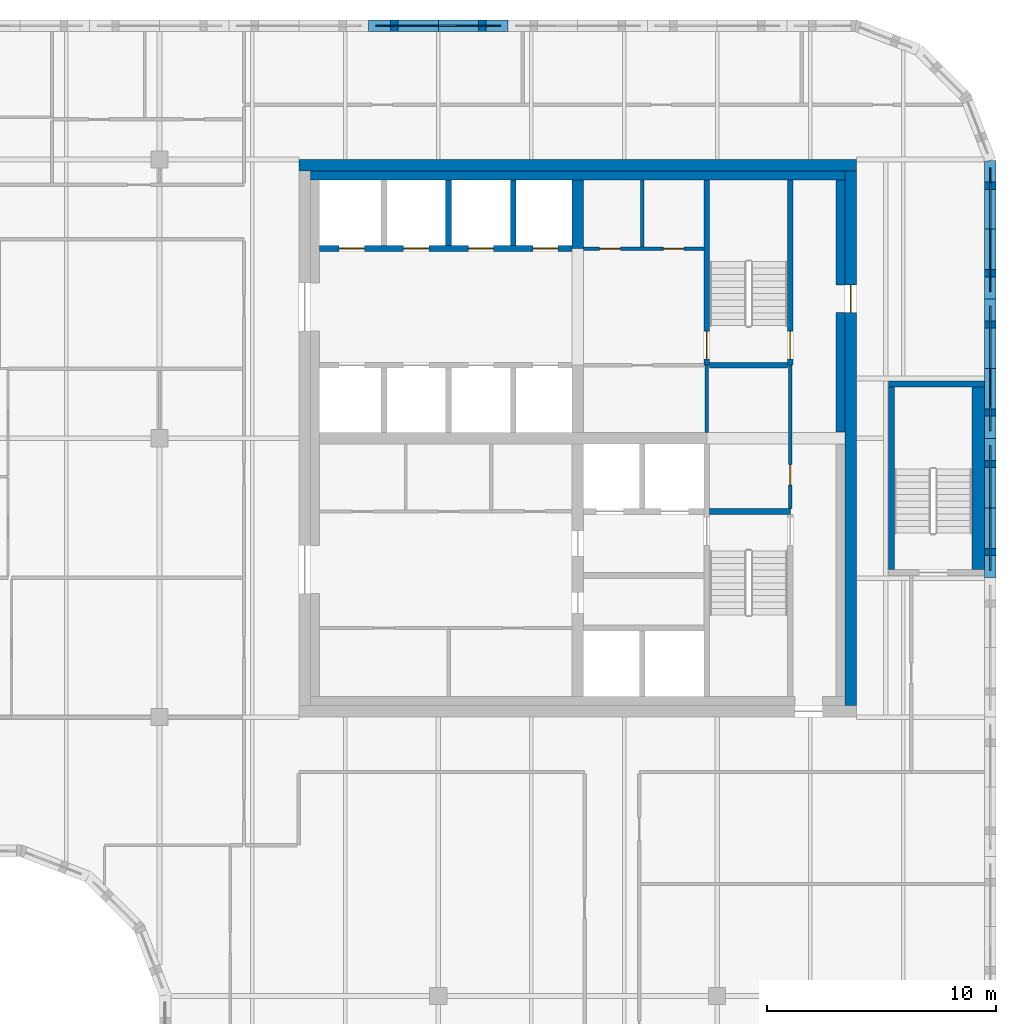
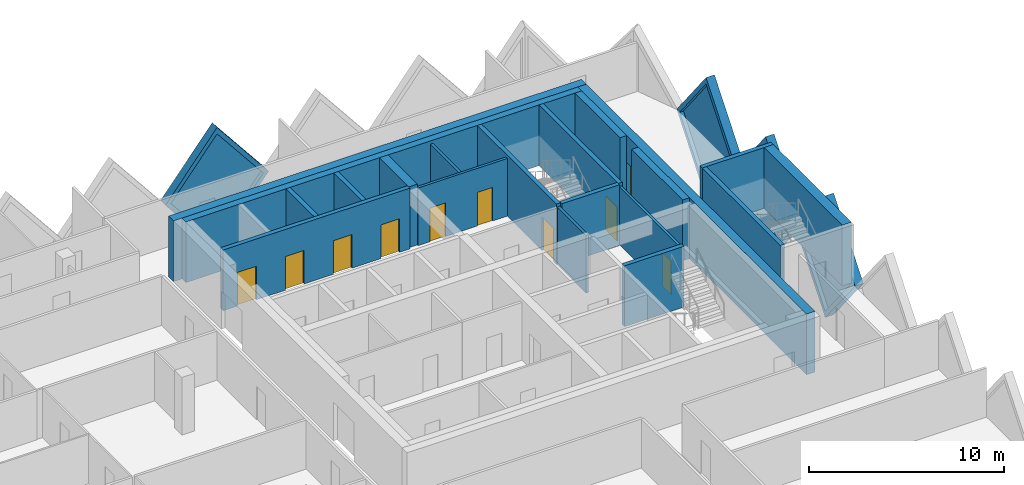
# One storey, part 9 of 12: 24 walls, 10 doors, 4 plates, 14 openings.
"""IFC4 building model written with IfcOpenShell, lengths in metres."""

from ifc_helpers import new_model, si_unit, direction, frame, frame_2d, origin, place, context, subcontext, project, spatial, polyline, rectangle, outline, extrude, faceted_brep, source, transform, mapped, material, layer, layer_set, type_object, element, fill, save


model = new_model("IFC4")

# Units and contexts
model_context = context("Model", 3, precision=1e-05, world=origin(), true_north=direction((0.0, 1.0)))
body_context = subcontext(model_context, "Body", "Model", "MODEL_VIEW")
ifc_project = project(units=[si_unit("LENGTHUNIT", "METRE"), si_unit("AREAUNIT", "SQUARE_METRE"), si_unit("VOLUMEUNIT", "CUBIC_METRE"), si_unit("PLANEANGLEUNIT", "RADIAN"), si_unit("MASSUNIT", "GRAM", prefix="KILO")], contexts=[model_context])

# Site, building, storey
site_placement = place(None, origin())
site = spatial("IfcSite", under=ifc_project, at=site_placement, CompositionType="ELEMENT")
building_placement = place(site_placement, origin())
building = spatial("IfcBuilding", under=site, at=building_placement, Name="Tessera Gate Towers", CompositionType="ELEMENT")
storey_placement = place(building_placement, frame((0.0, 0.0, 220.699951171875)))
storey = spatial("IfcBuildingStorey", under=building, at=storey_placement, Name="L55", CompositionType="ELEMENT", Elevation=220.699951171875)

# Wall, openings, doors
ifc_material_1 = material(Name="Concrete C40/50", Category="concrete")
ifc_layer_1 = layer(ifc_material_1, 0.25)
ifc_layer_set_1 = layer_set([ifc_layer_1], Name="CORE ENCLOSURE WALL 250")
wall_type_1 = type_object("IfcWallType", Name="CORE ENCLOSURE WALL 250", PredefinedType="SOLIDWALL", material=ifc_layer_set_1)
wall_1_placement = place(storey_placement, frame((42.449951171875, 44.89990234375, 0.0), z_axis=(0.0, 0.0, 1.0), x_axis=(-1.0, 0.0, 0.0)))
wall_1 = element("IfcWall", 1, at=wall_1_placement, inside=storey, type_object=wall_type_1, Name="L55 shaft and stair enclosure wall", PredefinedType="SOLIDWALL", context=body_context, shape_type="SweptSolid", body=[
    extrude(rectangle(XDim=11.050048828125, YDim=0.25, at=frame_2d((5.52490234375, 0.0))), origin(), (0.0, 0.0, 1.0), 3.800048828125),
])
shared_shape_1 = source(origin(), body_context, "Body", "SweptSolid", [
    extrude(rectangle(XDim=1.10009765625, YDim=2.10009765625, at=frame_2d((0.550048828125, 1.050048828125))), frame((0.0, 0.135009765625, 0.0), z_axis=(0.0, -1.0, 0.0), x_axis=(1.0, 0.0, 0.0)), (0.0, 0.0, 1.0), 0.27001953125),
])
opening_1_placement = place(wall_1_placement, frame((9.08740234375, 0.0, 0.0)))
opening_1 = element("IfcOpeningElement", 2, at=opening_1_placement, cuts=wall_1, Name="Opening LD-HR5", PredefinedType="OPENING", context=body_context, shape_type="MappedRepresentation", body=[
    mapped(shared_shape_1, transform((0.0, 0.0, 0.0), scale=1.0)),
])
opening_2_placement = place(wall_1_placement, frame((6.262451171875, 0.0, 0.0)))
opening_2 = element("IfcOpeningElement", 3, at=opening_2_placement, cuts=wall_1, Name="Opening LD-HR6", PredefinedType="OPENING", context=body_context, shape_type="MappedRepresentation", body=[
    mapped(shared_shape_1, transform((0.0, 0.0, 0.0), scale=1.0)),
])
opening_3_placement = place(wall_1_placement, frame((3.4375, 0.0, 0.0)))
opening_3 = element("IfcOpeningElement", 4, at=opening_3_placement, cuts=wall_1, Name="Opening LD-HR7", PredefinedType="OPENING", context=body_context, shape_type="MappedRepresentation", body=[
    mapped(shared_shape_1, transform((0.0, 0.0, 0.0), scale=1.0)),
])
opening_4_placement = place(wall_1_placement, frame((0.612548828125, 0.0, 0.0)))
opening_4 = element("IfcOpeningElement", 5, at=opening_4_placement, cuts=wall_1, Name="Opening LD-HR8", PredefinedType="OPENING", context=body_context, shape_type="MappedRepresentation", body=[
    mapped(shared_shape_1, transform((0.0, 0.0, 0.0), scale=1.0)),
])
ifc_material_2 = material(Name="Stainless steel", Category="steel")
door_type_1 = type_object("IfcDoorType", Name="CORE DOOR LD 1100x2100", OperationType="DOUBLE_DOOR_SLIDING", PredefinedType="DOOR", material=ifc_material_2)
shared_shape_2 = source(origin(), body_context, "Body", "SweptSolid", [
    extrude(rectangle(XDim=1.10009765625, YDim=2.10009765625, at=frame_2d((0.550048828125, 1.050048828125))), frame((0.0, 0.02490234375, 0.0), z_axis=(0.0, -1.0, 0.0), x_axis=(1.0, 0.0, 0.0)), (0.0, 0.0, 1.0), 0.050048828125),
])
door_1_placement = place(opening_1_placement, origin())
door_1 = element("IfcDoor", 6, at=door_1_placement, inside=storey, type_object=door_type_1, Name="Landing door HR5 L55", OperationType="DOUBLE_DOOR_SLIDING", OverallHeight=2.10009765625, OverallWidth=1.10009765625, PredefinedType="DOOR", context=body_context, shape_type="MappedRepresentation", body=[
    mapped(shared_shape_2, transform((0.0, 0.0, 0.0), scale=1.0)),
])
fill(opening_1, door_1)
door_2_placement = place(opening_2_placement, origin())
door_2 = element("IfcDoor", 7, at=door_2_placement, inside=storey, type_object=door_type_1, Name="Landing door HR6 L55", OperationType="DOUBLE_DOOR_SLIDING", OverallHeight=2.10009765625, OverallWidth=1.10009765625, PredefinedType="DOOR", context=body_context, shape_type="MappedRepresentation", body=[
    mapped(shared_shape_2, transform((0.0, 0.0, 0.0), scale=1.0)),
])
fill(opening_2, door_2)
door_3_placement = place(opening_3_placement, origin())
door_3 = element("IfcDoor", 8, at=door_3_placement, inside=storey, type_object=door_type_1, Name="Landing door HR7 L55", OperationType="DOUBLE_DOOR_SLIDING", OverallHeight=2.10009765625, OverallWidth=1.10009765625, PredefinedType="DOOR", context=body_context, shape_type="MappedRepresentation", body=[
    mapped(shared_shape_2, transform((0.0, 0.0, 0.0), scale=1.0)),
])
fill(opening_3, door_3)
door_4_placement = place(opening_4_placement, origin())
door_4 = element("IfcDoor", 9, at=door_4_placement, inside=storey, type_object=door_type_1, Name="Landing door HR8 L55", OperationType="DOUBLE_DOOR_SLIDING", OverallHeight=2.10009765625, OverallWidth=1.10009765625, PredefinedType="DOOR", context=body_context, shape_type="MappedRepresentation", body=[
    mapped(shared_shape_2, transform((0.0, 0.0, 0.0), scale=1.0)),
])
fill(opening_4, door_4)

# Wall
wall_2_placement = place(storey_placement, frame((48.47509765625, 33.39990234375, 0.0), z_axis=(0.0, 0.0, 1.0), x_axis=(1.0, 0.0, 0.0)))
element("IfcWall", 10, at=wall_2_placement, inside=storey, type_object=wall_type_1, Name="L55 shaft and stair enclosure wall", PredefinedType="SOLIDWALL", context=body_context, shape_type="SweptSolid", body=[
    extrude(rectangle(XDim=3.52490234375, YDim=0.25, at=frame_2d((1.762451171875, 0.0))), origin(), (0.0, 0.0, 1.0), 3.800048828125),
])

# Wall, opening, door
wall_3_placement = place(storey_placement, frame((48.35009765625, 47.89990234375, 0.0), z_axis=(0.0, 0.0, 1.0), x_axis=(0.0, -1.0, 0.0)))
wall_3 = element("IfcWall", 11, at=wall_3_placement, inside=storey, type_object=wall_type_1, Name="L55 shaft and stair enclosure wall", PredefinedType="SOLIDWALL", context=body_context, shape_type="SweptSolid", body=[
    extrude(rectangle(XDim=8.099853515625, YDim=0.25, at=frame_2d((4.0498046875, 0.0))), origin(), (0.0, 0.0, 1.0), 3.800048828125),
])
shared_shape_3 = source(origin(), body_context, "Body", "SweptSolid", [
    extrude(rectangle(XDim=1.199951171875, YDim=2.10009765625, at=frame_2d((0.60009765625, 1.050048828125))), frame((0.0, 0.135009765625, 0.0), z_axis=(0.0, -1.0, 0.0), x_axis=(1.0, 0.0, 0.0)), (0.0, 0.0, 1.0), 0.27001953125),
])
opening_5_placement = place(wall_3_placement, frame((6.625, 0.0, 0.0)))
opening_5 = element("IfcOpeningElement", 12, at=opening_5_placement, cuts=wall_3, Name="Opening SD-ST2-1", PredefinedType="OPENING", context=body_context, shape_type="MappedRepresentation", body=[
    mapped(shared_shape_3, transform((0.0, 0.0, 0.0), scale=1.0)),
])
ifc_material_3 = material(Name="Hollow steel fire door", Category="steel")
door_type_2 = type_object("IfcDoorType", Name="CORE DOOR SD 1200x2100", OperationType="NOTDEFINED", PredefinedType="DOOR", material=ifc_material_3)
shared_shape_4 = source(origin(), body_context, "Body", "SweptSolid", [
    extrude(rectangle(XDim=1.199951171875, YDim=2.10009765625, at=frame_2d((0.60009765625, 1.050048828125))), frame((0.0, 0.02490234375, 0.0), z_axis=(0.0, -1.0, 0.0), x_axis=(1.0, 0.0, 0.0)), (0.0, 0.0, 1.0), 0.050048828125),
])
door_5_placement = place(opening_5_placement, origin())
door_5 = element("IfcDoor", 13, at=door_5_placement, inside=storey, type_object=door_type_2, Name="Stair door", OperationType="SINGLE_SWING_RIGHT", OverallHeight=2.10009765625, OverallWidth=1.199951171875, PredefinedType="DOOR", context=body_context, shape_type="MappedRepresentation", body=[
    mapped(shared_shape_4, transform((0.0, 0.0, 0.0), scale=1.0)),
])
fill(opening_5, door_5)

wall_4_placement = place(storey_placement, frame((52.0, 39.800048828125, 0.0), z_axis=(0.0, 0.0, 1.0), x_axis=(0.0, 1.0, 0.0)))
wall_4 = element("IfcWall", 14, at=wall_4_placement, inside=storey, type_object=wall_type_1, Name="L55 shaft and stair enclosure wall", PredefinedType="SOLIDWALL", context=body_context, shape_type="SweptSolid", body=[
    extrude(rectangle(XDim=8.099853515625, YDim=0.25, at=frame_2d((4.0498046875, 0.0))), origin(), (0.0, 0.0, 1.0), 3.800048828125),
])
opening_6_placement = place(wall_4_placement, frame((0.27490234375, 0.0, 0.0)))
opening_6 = element("IfcOpeningElement", 15, at=opening_6_placement, cuts=wall_4, Name="Opening SD-ST2-2", PredefinedType="OPENING", context=body_context, shape_type="MappedRepresentation", body=[
    mapped(shared_shape_3, transform((0.0, 0.0, 0.0), scale=1.0)),
])
door_6_placement = place(opening_6_placement, origin())
door_6 = element("IfcDoor", 16, at=door_6_placement, inside=storey, type_object=door_type_2, Name="Stair door", OperationType="SINGLE_SWING_LEFT", OverallHeight=2.10009765625, OverallWidth=1.199951171875, PredefinedType="DOOR", context=body_context, shape_type="MappedRepresentation", body=[
    mapped(shared_shape_4, transform((0.0, 0.0, 0.0), scale=1.0)),
])
fill(opening_6, door_6)

# Walls
wall_5_placement = place(storey_placement, frame((48.47509765625, 39.800048828125, 0.0), z_axis=(0.0, 0.0, 1.0), x_axis=(1.0, 0.0, 0.0)))
element("IfcWall", 17, at=wall_5_placement, inside=storey, type_object=wall_type_1, Name="L55 shaft and stair enclosure wall", PredefinedType="SOLIDWALL", context=body_context, shape_type="SweptSolid", body=[
    extrude(rectangle(XDim=3.39990234375, YDim=0.25, at=frame_2d((1.699951171875, 0.0))), origin(), (0.0, 0.0, 1.0), 3.800048828125),
])
for number, where, z_axis, x_axis, name in (
    (18, (37.050048828125, 45.02490234375, 0.0), (0.0, 0.0, 1.0), (0.0, 1.0, 0.0), "L55 shaft and stair enclosure wall"),
    (19, (39.875, 45.02490234375, 0.0), (0.0, 0.0, 1.0), (0.0, 1.0, 0.0), "L55 shaft and stair enclosure wall"),
):
    element("IfcWall", number, at=place(storey_placement, frame(where, z_axis=z_axis, x_axis=x_axis)), inside=storey, type_object=wall_type_1, Name=name, PredefinedType="SOLIDWALL", context=body_context, shape_type="SweptSolid", body=[
        extrude(rectangle(XDim=2.875, YDim=0.25, at=frame_2d((1.4375, 0.0))), origin(), (0.0, 0.0, 1.0), 3.800048828125),
    ])
wall_6_placement = place(storey_placement, frame((56.425048828125, 30.85009765625, 0.0), z_axis=(0.0, 0.0, 1.0), x_axis=(0.0, 1.0, 0.0)))
element("IfcWall", 20, at=wall_6_placement, inside=storey, type_object=wall_type_1, Name="L55 ST5 enclosure wall", PredefinedType="SOLIDWALL", context=body_context, shape_type="SweptSolid", body=[
    extrude(rectangle(XDim=8.0, YDim=0.25, at=frame_2d((4.0, 0.0))), origin(), (0.0, 0.0, 1.0), 3.800048828125),
])
wall_7_placement = place(storey_placement, frame((56.300048828125, 38.97509765625, 0.0), z_axis=(0.0, 0.0, 1.0), x_axis=(1.0, 0.0, 0.0)))
element("IfcWall", 21, at=wall_7_placement, inside=storey, type_object=wall_type_1, Name="L55 ST5 enclosure wall", PredefinedType="SOLIDWALL", context=body_context, shape_type="SweptSolid", body=[
    extrude(rectangle(XDim=4.199951171875, YDim=0.25, at=frame_2d((2.10009765625, 0.0))), origin(), (0.0, 0.0, 1.0), 3.800048828125),
])
ifc_material_4 = material(Name="Concrete C40/50", Category="concrete")
ifc_layer_2 = layer(ifc_material_4, 0.550048828125)
ifc_layer_set_2 = layer_set([ifc_layer_2], Name="CORE ENCLOSURE WALL 550")
wall_type_2 = type_object("IfcWallType", Name="CORE ENCLOSURE WALL 550", PredefinedType="SOLIDWALL", material=ifc_layer_set_2)
wall_8_placement = place(storey_placement, frame((60.22509765625, 38.85009765625, 0.0), z_axis=(0.0, 0.0, 1.0), x_axis=(0.0, -1.0, 0.0)))
element("IfcWall", 22, at=wall_8_placement, inside=storey, type_object=wall_type_2, Name="L55 ST5 enclosure wall", PredefinedType="SOLIDWALL", context=body_context, shape_type="SweptSolid", body=[
    extrude(rectangle(XDim=8.0, YDim=0.550048828125, at=frame_2d((4.0, 0.0))), origin(), (0.0, 0.0, 1.0), 3.800048828125),
])
ifc_material_5 = material(Name="Concrete C50/60", Category="concrete")
ifc_layer_3 = layer(ifc_material_5, 0.5)
ifc_layer_set_3 = layer_set([ifc_layer_3], Name="CORE SHEAR WALL 500 C50/60")
wall_type_3 = type_object("IfcWallType", Name="CORE SHEAR WALL 500 C50/60", PredefinedType="SHEAR", material=ifc_layer_set_3)
wall_9_placement = place(storey_placement, frame((30.5, 48.550048828125, 0.0), z_axis=(0.0, 0.0, 1.0), x_axis=(1.0, 0.0, 0.0)))
element("IfcWall", 23, at=wall_9_placement, inside=storey, type_object=wall_type_3, Name="Core wall N L55", PredefinedType="SHEAR", context=body_context, shape_type="SweptSolid", body=[
    extrude(rectangle(XDim=24.39990234375, YDim=0.5, at=frame_2d((12.199951171875, 0.0))), origin(), (0.0, 0.0, 1.0), 3.800048828125),
])

# Wall, opening, door
wall_10_placement = place(storey_placement, frame((54.64990234375, 48.300048828125, 0.0), z_axis=(0.0, 0.0, 1.0), x_axis=(0.0, -1.0, 0.0)))
wall_10 = element("IfcWall", 24, at=wall_10_placement, inside=storey, type_object=wall_type_3, Name="Core wall E L55", PredefinedType="SHEAR", context=body_context, shape_type="SweptSolid", body=[
    extrude(rectangle(XDim=23.400146484375, YDim=0.5, at=frame_2d((11.7001953125, 0.0))), origin(), (0.0, 0.0, 1.0), 3.800048828125),
])
shared_shape_5 = source(origin(), body_context, "Body", "SweptSolid", [
    extrude(rectangle(XDim=1.199951171875, YDim=2.10009765625, at=frame_2d((0.60009765625, 1.050048828125))), frame((0.0, 0.260009765625, 0.0), z_axis=(0.0, -1.0, 0.0), x_axis=(1.0, 0.0, 0.0)), (0.0, 0.0, 1.0), 0.52001953125),
])
opening_7_placement = place(wall_10_placement, frame((5.0, 0.0, 0.0)))
opening_7 = element("IfcOpeningElement", 25, at=opening_7_placement, cuts=wall_10, Name="Opening ED-T1-33-04", PredefinedType="OPENING", context=body_context, shape_type="MappedRepresentation", body=[
    mapped(shared_shape_5, transform((0.0, 0.0, 0.0), scale=1.0)),
])
ifc_material_6 = material(Name="Hollow steel fire door", Category="steel")
door_type_3 = type_object("IfcDoorType", Name="CORE DOOR ED 1200x2100", OperationType="NOTDEFINED", PredefinedType="DOOR", material=ifc_material_6)
door_7_placement = place(opening_7_placement, origin())
door_7 = element("IfcDoor", 26, at=door_7_placement, inside=storey, type_object=door_type_3, Name="Core exit door", OperationType="SINGLE_SWING_LEFT", OverallHeight=2.10009765625, OverallWidth=1.199951171875, PredefinedType="DOOR", context=body_context, shape_type="MappedRepresentation", body=[
    mapped(shared_shape_4, transform((0.0, 0.0, 0.0), scale=1.0)),
])
fill(opening_7, door_7)

# Walls
ifc_material_7 = material(Name="Concrete C50/60", Category="concrete")
ifc_layer_4 = layer(ifc_material_7, 0.5)
ifc_layer_set_4 = layer_set([ifc_layer_4], Name="CORE SPINE WALL 500 C50/60")
wall_type_4 = type_object("IfcWallType", Name="CORE SPINE WALL 500 C50/60", PredefinedType="SHEAR", material=ifc_layer_set_4)
wall_11_placement = place(storey_placement, frame((42.699951171875, 44.89990234375, 0.0), z_axis=(0.0, 0.0, 1.0), x_axis=(0.0, 1.0, 0.0)))
element("IfcWall", 27, at=wall_11_placement, inside=storey, type_object=wall_type_4, Name="Core wall spine L55", PredefinedType="SHEAR", context=body_context, shape_type="SweptSolid", body=[
    extrude(rectangle(XDim=3.0, YDim=0.5, at=frame_2d((1.5, 0.0))), origin(), (0.0, 0.0, 1.0), 3.800048828125),
])
ifc_material_8 = material(Name="Concrete C50/60", Category="concrete")
ifc_layer_5 = layer(ifc_material_8, 0.39990234375)
ifc_layer_set_5 = layer_set([ifc_layer_5], Name="CORE WALL THICKENING 400")
wall_type_5 = type_object("IfcWallType", Name="CORE WALL THICKENING 400", PredefinedType="SOLIDWALL", material=ifc_layer_set_5)
wall_12_placement = place(storey_placement, frame((31.0, 48.10009765625, 0.0), z_axis=(0.0, 0.0, 1.0), x_axis=(1.0, 0.0, 0.0)))
element("IfcWall", 28, at=wall_12_placement, inside=storey, type_object=wall_type_5, Name="Core wall thickening N L55", PredefinedType="SOLIDWALL", context=body_context, shape_type="SweptSolid", body=[
    extrude(rectangle(XDim=23.39990234375, YDim=0.39990234375, at=frame_2d((11.699951171875, 0.0))), origin(), (0.0, 0.0, 1.0), 3.800048828125),
])
wall_13_placement = place(storey_placement, frame((54.199951171875, 36.8798828125, 0.0), z_axis=(0.0, 0.0, 1.0), x_axis=(0.0, 1.0, 0.0)))
element("IfcWall", 29, at=wall_13_placement, inside=storey, type_object=wall_type_5, Name="Core wall thickening E L55", PredefinedType="SOLIDWALL", context=body_context, shape_type="SweptSolid", body=[
    extrude(rectangle(XDim=5.22021484375, YDim=0.39990234375, at=frame_2d((2.610107421875, 0.0))), origin(), (0.0, 0.0, 1.0), 3.800048828125),
])
wall_14_placement = place(storey_placement, frame((54.199951171875, 43.300048828125, 0.0), z_axis=(0.0, 0.0, 1.0), x_axis=(0.0, 1.0, 0.0)))
element("IfcWall", 30, at=wall_14_placement, inside=storey, type_object=wall_type_5, Name="Core wall thickening E L55", PredefinedType="SOLIDWALL", context=body_context, shape_type="SweptSolid", body=[
    extrude(rectangle(XDim=4.599853515625, YDim=0.39990234375, at=frame_2d((2.2998046875, 0.0))), origin(), (0.0, 0.0, 1.0), 3.800048828125),
])

# Wall, opening, door
ifc_material_9 = material(Name="Gypsum board on steel studs", Category="steel")
ifc_layer_6 = layer(ifc_material_9, 0.14990234375)
ifc_layer_set_6 = layer_set([ifc_layer_6], Name="SERVICE ROOM WALL 150")
wall_type_6 = type_object("IfcWallType", Name="SERVICE ROOM WALL 150", PredefinedType="PARTITIONING", material=ifc_layer_set_6)
wall_15_placement = place(storey_placement, frame((52.0, 33.52490234375, 0.0), z_axis=(0.0, 0.0, 1.0), x_axis=(0.0, 1.0, 0.0)))
wall_15 = element("IfcWall", 31, at=wall_15_placement, inside=storey, type_object=wall_type_6, Name="L55 service room wall", PredefinedType="PARTITIONING", context=body_context, shape_type="SweptSolid", body=[
    extrude(rectangle(XDim=6.275146484375, YDim=0.14990234375, at=frame_2d((3.1376953125, 0.0))), origin(), (0.0, 0.0, 1.0), 3.60009765625),
])
shared_shape_6 = source(origin(), body_context, "Body", "SweptSolid", [
    extrude(rectangle(XDim=0.89990234375, YDim=2.10009765625, at=frame_2d((0.449951171875, 1.050048828125))), frame((0.0, 0.0849609375, 0.0), z_axis=(0.0, -1.0, 0.0), x_axis=(1.0, 0.0, 0.0)), (0.0, 0.0, 1.0), 0.169921875),
])
opening_8_placement = place(wall_15_placement, frame((1.02490234375, 0.0, 0.0)))
opening_8 = element("IfcOpeningElement", 32, at=opening_8_placement, cuts=wall_15, Name="Opening RD-T1-33-09", PredefinedType="OPENING", context=body_context, shape_type="MappedRepresentation", body=[
    mapped(shared_shape_6, transform((0.0, 0.0, 0.0), scale=1.0)),
])
ifc_material_10 = material(Name="Hollow steel fire door", Category="steel")
door_type_4 = type_object("IfcDoorType", Name="CORE DOOR RD 900x2100", OperationType="NOTDEFINED", PredefinedType="DOOR", material=ifc_material_10)
shared_shape_7 = source(origin(), body_context, "Body", "SweptSolid", [
    extrude(rectangle(XDim=0.89990234375, YDim=2.10009765625, at=frame_2d((0.449951171875, 1.050048828125))), frame((0.0, 0.02490234375, 0.0), z_axis=(0.0, -1.0, 0.0), x_axis=(1.0, 0.0, 0.0)), (0.0, 0.0, 1.0), 0.050048828125),
])
door_8_placement = place(opening_8_placement, origin())
door_8 = element("IfcDoor", 33, at=door_8_placement, inside=storey, type_object=door_type_4, Name="Core room door", OperationType="SINGLE_SWING_LEFT", OverallHeight=2.10009765625, OverallWidth=0.89990234375, PredefinedType="DOOR", context=body_context, shape_type="MappedRepresentation", body=[
    mapped(shared_shape_7, transform((0.0, 0.0, 0.0), scale=1.0)),
])
fill(opening_8, door_8)

# Wall, openings, doors
wall_16_placement = place(storey_placement, frame((42.949951171875, 44.89990234375, 0.0), z_axis=(0.0, 0.0, 1.0), x_axis=(1.0, 0.0, 0.0)))
wall_16 = element("IfcWall", 34, at=wall_16_placement, inside=storey, type_object=wall_type_6, Name="L55 service room wall", PredefinedType="PARTITIONING", context=body_context, shape_type="SweptSolid", body=[
    extrude(rectangle(XDim=5.275146484375, YDim=0.14990234375, at=frame_2d((2.6376953125, 0.0))), origin(), (0.0, 0.0, 1.0), 3.60009765625),
])
opening_9_placement = place(wall_16_placement, frame((0.71240234375, 0.0, 0.0)))
opening_9 = element("IfcOpeningElement", 35, at=opening_9_placement, cuts=wall_16, Name="Opening RD-T1-33-11", PredefinedType="OPENING", context=body_context, shape_type="MappedRepresentation", body=[
    mapped(shared_shape_6, transform((0.0, 0.0, 0.0), scale=1.0)),
])
opening_10_placement = place(wall_16_placement, frame((3.5, 0.0, 0.0)))
opening_10 = element("IfcOpeningElement", 36, at=opening_10_placement, cuts=wall_16, Name="Opening RD-T1-33-12", PredefinedType="OPENING", context=body_context, shape_type="MappedRepresentation", body=[
    mapped(shared_shape_6, transform((0.0, 0.0, 0.0), scale=1.0)),
])
door_9_placement = place(opening_9_placement, origin())
door_9 = element("IfcDoor", 37, at=door_9_placement, inside=storey, type_object=door_type_4, Name="Core room door", OperationType="SINGLE_SWING_LEFT", OverallHeight=2.10009765625, OverallWidth=0.89990234375, PredefinedType="DOOR", context=body_context, shape_type="MappedRepresentation", body=[
    mapped(shared_shape_7, transform((0.0, 0.0, 0.0), scale=1.0)),
])
fill(opening_9, door_9)
door_10_placement = place(opening_10_placement, origin())
door_10 = element("IfcDoor", 38, at=door_10_placement, inside=storey, type_object=door_type_4, Name="Core room door", OperationType="SINGLE_SWING_RIGHT", OverallHeight=2.10009765625, OverallWidth=0.89990234375, PredefinedType="DOOR", context=body_context, shape_type="MappedRepresentation", body=[
    mapped(shared_shape_7, transform((0.0, 0.0, 0.0), scale=1.0)),
])
fill(opening_10, door_10)

# Walls
wall_17_placement = place(storey_placement, frame((48.35009765625, 36.85009765625, 0.0), z_axis=(0.0, 0.0, 1.0), x_axis=(0.0, 1.0, 0.0)))
element("IfcWall", 39, at=wall_17_placement, inside=storey, type_object=wall_type_6, Name="L55 service room wall", PredefinedType="PARTITIONING", context=body_context, shape_type="SweptSolid", body=[
    extrude(rectangle(XDim=2.949951171875, YDim=0.14990234375, at=frame_2d((1.47509765625, 0.0))), origin(), (0.0, 0.0, 1.0), 3.60009765625),
])
wall_18_placement = place(storey_placement, frame((45.52490234375, 44.97509765625, 0.0), z_axis=(0.0, 0.0, 1.0), x_axis=(0.0, 1.0, 0.0)))
element("IfcWall", 40, at=wall_18_placement, inside=storey, type_object=wall_type_6, Name="L55 service room wall", PredefinedType="PARTITIONING", context=body_context, shape_type="SweptSolid", body=[
    extrude(rectangle(XDim=2.9248046875, YDim=0.14990234375, at=frame_2d((1.46240234375, 0.0))), origin(), (0.0, 0.0, 1.0), 3.60009765625),
])

# Wall, opening, plate
ifc_material_11 = material(Name="Precast concrete C60/75 white", Category="concrete")
ifc_layer_7 = layer(ifc_material_11, 0.5)
ifc_layer_set_7 = layer_set([ifc_layer_7], Name="TS1 tessera")
wall_type_7 = type_object("IfcWallType", Name="TS1 tessera", PredefinedType="SOLIDWALL", material=ifc_layer_set_7)
shared_shape_8 = source(origin(), body_context, "Body", "Brep", [
    faceted_brep([(3.050048828125, -0.25, 0.0), (6.099853515625, -0.25, 3.7998046875), (6.099853515625, -0.25, 3.80029296875), (3.050048828125, -0.25, 7.60009765625), (0.0, -0.25, 3.800048828125), (0.0, 0.25, 3.800048828125), (3.050048828125, 0.25, 7.60009765625), (6.099853515625, 0.25, 3.80029296875), (6.099853515625, 0.25, 3.7998046875), (3.050048828125, 0.25, 0.0)], [[[0, 1, 2, 3, 4]], [[5, 6, 7, 8, 9]], [[9, 8, 1, 0]], [[7, 6, 3, 2]], [[6, 5, 4, 3]], [[5, 9, 0, 4]], [[1, 8, 7, 2]]]),
])
wall_19_placement = place(storey_placement, frame((60.75, 36.60009765625, -3.800048828125), z_axis=(0.0, 0.0, 1.0), x_axis=(0.0, 1.0, 0.0)))
wall_19 = element("IfcWall", 41, at=wall_19_placement, inside=storey, type_object=wall_type_7, Name="Precast tessera T1 TS1-0974", PredefinedType="SOLIDWALL", context=body_context, shape_type="MappedRepresentation", body=[
    mapped(shared_shape_8, transform((0.0, 0.0, 0.0), scale=1.0)),
])
shared_shape_9 = source(origin(), body_context, "Body", "SweptSolid", [
    extrude(outline(polyline([(3.050048828125, 0.3994140625), (5.779541015625, 3.800048828125), (3.050048828125, 7.20068359375), (0.320556640625, 3.800048828125), (3.050048828125, 0.3994140625)])), frame((0.0, 0.260009765625, 0.0), z_axis=(0.0, -1.0, 0.0), x_axis=(1.0, 0.0, 0.0)), (0.0, 0.0, 1.0), 0.52001953125),
])
opening_11_placement = place(wall_19_placement, origin())
opening_11 = element("IfcOpeningElement", 42, at=opening_11_placement, cuts=wall_19, Name="Opening T1-PL2-1988", PredefinedType="OPENING", context=body_context, shape_type="MappedRepresentation", body=[
    mapped(shared_shape_9, transform((0.0, 0.0, 0.0), scale=1.0)),
])
ifc_material_12 = material(Name="Low-e laminated glass", Category="glass")
ifc_layer_8 = layer(ifc_material_12, 0.06005859375)
ifc_layer_set_8 = layer_set([ifc_layer_8], Name="PL2 rhombic pane")
plate_type = type_object("IfcPlateType", Name="PL2 rhombic pane", PredefinedType="SHEET", material=ifc_layer_set_8)
shared_shape_10 = source(origin(), body_context, "Body", "SweptSolid", [
    extrude(outline(polyline([(3.050048828125, 0.3994140625), (5.779541015625, 3.800048828125), (3.050048828125, 7.20068359375), (0.320556640625, 3.800048828125), (3.050048828125, 0.3994140625)])), frame((0.0, 0.030029296875, 0.0), z_axis=(0.0, -1.0, 0.0), x_axis=(1.0, 0.0, 0.0)), (0.0, 0.0, 1.0), 0.06005859375),
])
plate_1_placement = place(opening_11_placement, origin())
plate_1 = element("IfcPlate", 43, at=plate_1_placement, inside=storey, type_object=plate_type, Name="Glass pane T1 PL2-1988", PredefinedType="SHEET", context=body_context, shape_type="MappedRepresentation", body=[
    mapped(shared_shape_10, transform((0.0, 0.0, 0.0), scale=1.0)),
])
fill(opening_11, plate_1)

wall_20_placement = place(storey_placement, frame((39.64990234375, 54.64990234375, -3.800048828125), z_axis=(0.0, 0.0, 1.0), x_axis=(-1.0, 0.0, 0.0)))
wall_20 = element("IfcWall", 44, at=wall_20_placement, inside=storey, type_object=wall_type_7, Name="Precast tessera T1 TS1-0978", PredefinedType="SOLIDWALL", context=body_context, shape_type="MappedRepresentation", body=[
    mapped(shared_shape_8, transform((0.0, 0.0, 0.0), scale=1.0)),
])
opening_12_placement = place(wall_20_placement, origin())
opening_12 = element("IfcOpeningElement", 45, at=opening_12_placement, cuts=wall_20, Name="Opening T1-PL2-1996", PredefinedType="OPENING", context=body_context, shape_type="MappedRepresentation", body=[
    mapped(shared_shape_9, transform((0.0, 0.0, 0.0), scale=1.0)),
])
plate_2_placement = place(opening_12_placement, origin())
plate_2 = element("IfcPlate", 46, at=plate_2_placement, inside=storey, type_object=plate_type, Name="Glass pane T1 PL2-1996", PredefinedType="SHEET", context=body_context, shape_type="MappedRepresentation", body=[
    mapped(shared_shape_10, transform((0.0, 0.0, 0.0), scale=1.0)),
])
fill(opening_12, plate_2)

shared_shape_11 = source(origin(), body_context, "Body", "SweptSolid", [
    extrude(outline(polyline([(3.050048828125, 0.0), (6.10009765625, 3.800048828125), (3.050048828125, 7.60009765625), (0.0, 3.800048828125), (3.050048828125, 0.0)])), frame((0.0, 0.25, 0.0), z_axis=(0.0, -1.0, 0.0), x_axis=(1.0, 0.0, 0.0)), (0.0, 0.0, 1.0), 0.5),
])
wall_21_placement = place(storey_placement, frame((60.75, 30.5, -3.800048828125), z_axis=(0.0, 0.0, 1.0), x_axis=(0.0, 1.0, 0.0)))
wall_21 = element("IfcWall", 47, at=wall_21_placement, inside=storey, type_object=wall_type_7, Name="Precast tessera T1 TS1-0973", PredefinedType="SOLIDWALL", context=body_context, shape_type="MappedRepresentation", body=[
    mapped(shared_shape_11, transform((0.0, 0.0, 0.0), scale=1.0)),
])
opening_13_placement = place(wall_21_placement, origin())
opening_13 = element("IfcOpeningElement", 48, at=opening_13_placement, cuts=wall_21, Name="Opening T1-PL2-1987", PredefinedType="OPENING", context=body_context, shape_type="MappedRepresentation", body=[
    mapped(shared_shape_9, transform((0.0, 0.0, 0.0), scale=1.0)),
])
plate_3_placement = place(opening_13_placement, origin())
plate_3 = element("IfcPlate", 49, at=plate_3_placement, inside=storey, type_object=plate_type, Name="Glass pane T1 PL2-1987", PredefinedType="SHEET", context=body_context, shape_type="MappedRepresentation", body=[
    mapped(shared_shape_10, transform((0.0, 0.0, 0.0), scale=1.0)),
])
fill(opening_13, plate_3)

shared_shape_12 = source(origin(), body_context, "Body", "Brep", [
    faceted_brep([(3.050048828125, -0.25, 0.0), (6.053466796875, -0.25, 3.800048828125), (3.050048828125, -0.25, 7.60009765625), (0.0, -0.25, 3.800048828125), (0.0, 0.25, 3.800048828125), (3.050048828125, 0.25, 7.60009765625), (6.0068359375, 0.25, 3.85888671875), (6.0068359375, 0.25, 3.7412109375), (3.050048828125, 0.25, 0.0), (6.053466796875, 0.0, 3.800048828125)], [[[0, 1, 2, 3]], [[4, 5, 6, 7, 8]], [[8, 7, 9, 1, 0]], [[6, 5, 2, 1, 9]], [[5, 4, 3, 2]], [[4, 8, 0, 3]], [[9, 7, 6]]]),
])
wall_22_placement = place(storey_placement, frame((60.75, 42.699951171875, -3.800048828125), z_axis=(0.0, 0.0, 1.0), x_axis=(0.0, 1.0, 0.0)))
wall_22 = element("IfcWall", 50, at=wall_22_placement, inside=storey, type_object=wall_type_7, Name="Precast tessera T1 TS1-0975", PredefinedType="SOLIDWALL", context=body_context, shape_type="MappedRepresentation", body=[
    mapped(shared_shape_12, transform((0.0, 0.0, 0.0), scale=1.0)),
])
shared_shape_13 = source(origin(), body_context, "Body", "SweptSolid", [
    extrude(outline(polyline([(3.048583984375, 0.4013671875), (5.73486328125, 3.800048828125), (3.048583984375, 7.19873046875), (0.320556640625, 3.800048828125), (3.048583984375, 0.4013671875)])), frame((0.0, 0.260009765625, 0.0), z_axis=(0.0, -1.0, 0.0), x_axis=(1.0, 0.0, 0.0)), (0.0, 0.0, 1.0), 0.52001953125),
])
opening_14_placement = place(wall_22_placement, origin())
opening_14 = element("IfcOpeningElement", 51, at=opening_14_placement, cuts=wall_22, Name="Opening T1-PL2-1989", PredefinedType="OPENING", context=body_context, shape_type="MappedRepresentation", body=[
    mapped(shared_shape_13, transform((0.0, 0.0, 0.0), scale=1.0)),
])
shared_shape_14 = source(origin(), body_context, "Body", "SweptSolid", [
    extrude(outline(polyline([(3.048583984375, 0.4013671875), (5.73486328125, 3.800048828125), (3.048583984375, 7.19873046875), (0.320556640625, 3.800048828125), (3.048583984375, 0.4013671875)])), frame((0.0, 0.030029296875, 0.0), z_axis=(0.0, -1.0, 0.0), x_axis=(1.0, 0.0, 0.0)), (0.0, 0.0, 1.0), 0.06005859375),
])
plate_4_placement = place(opening_14_placement, origin())
plate_4 = element("IfcPlate", 52, at=plate_4_placement, inside=storey, type_object=plate_type, Name="Glass pane T1 PL2-1989", PredefinedType="SHEET", context=body_context, shape_type="MappedRepresentation", body=[
    mapped(shared_shape_14, transform((0.0, 0.0, 0.0), scale=1.0)),
])
fill(opening_14, plate_4)

save(model, "model.ifc")
